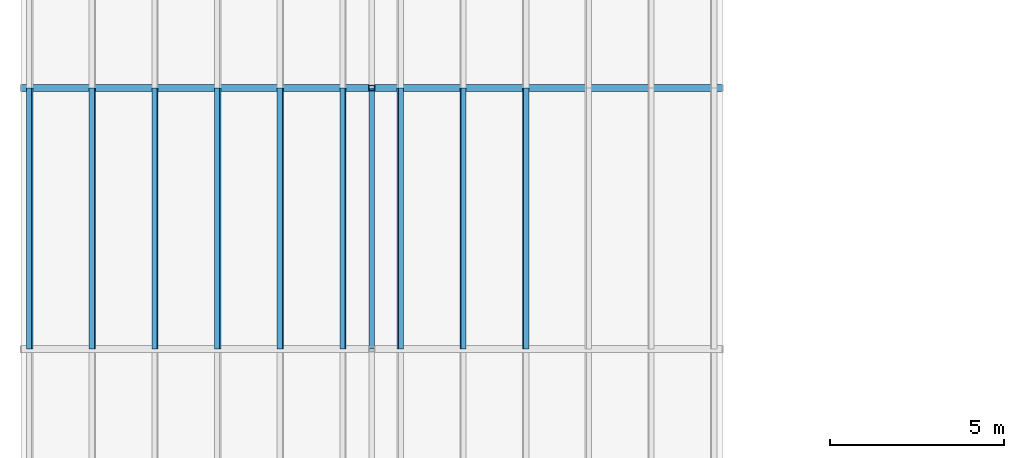
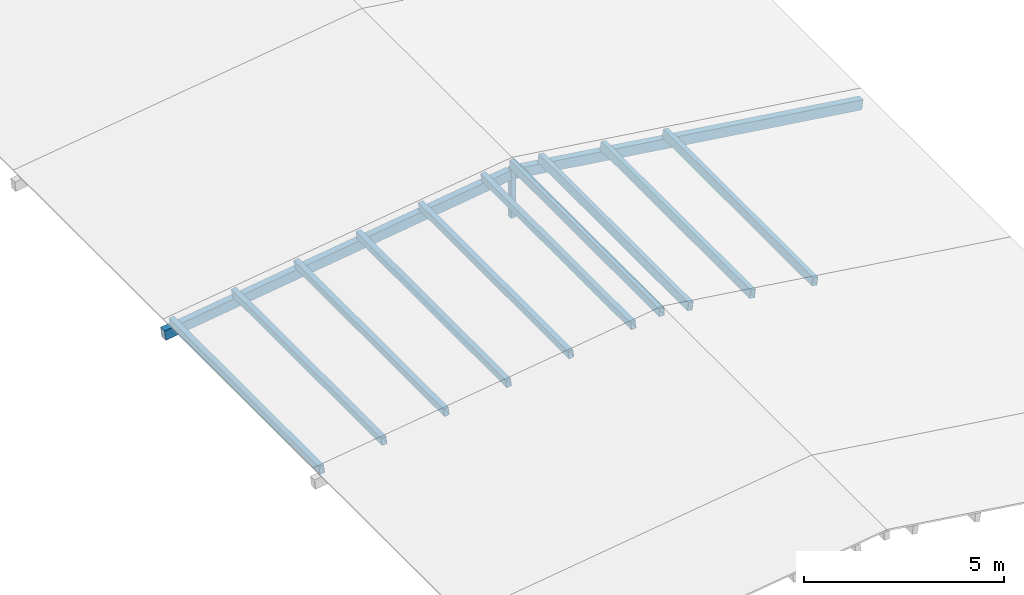
# One storey, part 8 of 52: 13 members.
"""IFC4 building model written with IfcOpenShell, lengths in metres."""

import ifcopenshell
import ifcopenshell.guid

model = None  # the IFC model being written
_history = None  # IfcOwnerHistory: only IFC2X3 demands one
_inside = {}  # id of a spatial element -> (the spatial element, [elements in it])
_under = {}  # id of a project, library or spatial element -> (it, [spatial elements below it])
_declared = {}  # id of a project -> (the project, [libraries it declares])
_typed = {}  # id of a type object -> (the type object, [elements of that type])
_made_of = {}  # id of a material, layer set ... -> (it, [elements and type objects made of it])


def new_model(schema):
    """Start an empty IFC model of exactly this schema.

    Asked for "IFC4X3", IfcOpenShell would pick the latest addendum, in which some entities
    have other attributes; the version numbers below select the first issue.
    IFC2X3 requires an IfcOwnerHistory on every rooted entity: one is made here for all.
    """
    global model, _history
    if schema == "IFC4X3":
        model = ifcopenshell.file(schema_version=(4, 3, 0, 0))
    else:
        model = ifcopenshell.file(schema=schema)
    _inside.clear()
    _under.clear()
    _declared.clear()
    _typed.clear()
    _made_of.clear()
    _history = None
    if model.schema == "IFC2X3":
        org = make("IfcOrganization", Name="unknown")
        user = make(
            "IfcPersonAndOrganization",
            ThePerson=make("IfcPerson", FamilyName="unknown"),
            TheOrganization=org,
        )
        app = make(
            "IfcApplication",
            ApplicationDeveloper=org,
            Version="unknown",
            ApplicationFullName="unknown",
            ApplicationIdentifier="unknown",
        )
        _history = make(
            "IfcOwnerHistory",
            OwningUser=user,
            OwningApplication=app,
            ChangeAction="ADDED",
            CreationDate=0,
        )
    return model


def make(cls, **values):
    """One entity of the class cls with the attributes given. An attribute that is None is left unset."""
    return model.create_entity(
        cls, **{name: value for name, value in values.items() if value is not None}
    )


def rooted(cls, **values):
    """An entity with a GlobalId (a new one), such as an element, a storey or a relation."""
    return make(cls, GlobalId=ifcopenshell.guid.new(), OwnerHistory=_history, **values)


def si_unit(unit_type, name, prefix=None):
    """IfcSIUnit, for example si_unit("LENGTHUNIT", "METRE", prefix="MILLI")."""
    return make("IfcSIUnit", UnitType=unit_type, Prefix=prefix, Name=name)


def assignment(units):
    """IfcUnitAssignment: the units of a project."""
    return None if units is None else make("IfcUnitAssignment", Units=units)


def point(xyz):
    """IfcCartesianPoint."""
    return None if xyz is None else make("IfcCartesianPoint", Coordinates=xyz)


def direction(xyz):
    """IfcDirection."""
    return None if xyz is None else make("IfcDirection", DirectionRatios=xyz)


def frame(location, z_axis=None, x_axis=None):
    """IfcAxis2Placement3D, a coordinate frame: its origin and axes. An axis left out is left unset."""
    return make(
        "IfcAxis2Placement3D",
        Location=point(location),
        Axis=direction(z_axis),
        RefDirection=direction(x_axis),
    )


def frame_2d(location, x_axis=None):
    """IfcAxis2Placement2D, a coordinate frame in the plane: its origin and x axis."""
    return make(
        "IfcAxis2Placement2D", Location=point(location), RefDirection=direction(x_axis)
    )


def origin():
    """The frame at (0, 0, 0) with its axes left unset."""
    return frame((0.0, 0.0, 0.0))


def origin_2d():
    """The frame at (0, 0) in the plane with its x axis left unset."""
    return frame_2d((0.0, 0.0))


def place(relative_to, where):
    """IfcLocalPlacement: puts the frame where relative to a parent placement (None: the world)."""
    return make(
        "IfcLocalPlacement", PlacementRelTo=relative_to, RelativePlacement=where
    )


def context(
    kind, dimensions, precision=None, world=None, true_north=None, identifier=None
):
    """IfcGeometricRepresentationContext, for example the 3D "Model" context."""
    return make(
        "IfcGeometricRepresentationContext",
        ContextIdentifier=identifier,
        ContextType=kind,
        CoordinateSpaceDimension=dimensions,
        Precision=precision,
        WorldCoordinateSystem=world,
        TrueNorth=true_north,
    )


def subcontext(parent, identifier, kind, view, scale=None):
    """IfcGeometricRepresentationSubContext, for example "Body" below "Model"."""
    return make(
        "IfcGeometricRepresentationSubContext",
        ContextIdentifier=identifier,
        ContextType=kind,
        ParentContext=parent,
        TargetScale=scale,
        TargetView=view,
    )


def project(units=None, contexts=None):
    """IfcProject with its units and contexts."""
    return rooted(
        "IfcProject",
        Name="project",
        RepresentationContexts=contexts,
        UnitsInContext=assignment(units),
    )


def spatial(cls, under=None, at=None, **own):
    """A site, building, storey or space (cls), placed at a placement, below another one or the project."""
    s = rooted(cls, ObjectPlacement=at, **own)
    if under is not None:
        _under.setdefault(under.id(), (under, []))[1].append(s)
    return s


def profile(cls, at=None, kind="AREA", **sizes):
    """A parametric profile (cls). Its sizes go by their IFC names, for example OverallWidth=200.0."""
    return make(cls, ProfileType=kind, Position=at, **sizes)


def hollow_rectangle(**sizes):
    """IfcRectangleHollowProfileDef."""
    return profile("IfcRectangleHollowProfileDef", **sizes)


def extrude(swept, where, along, depth):
    """IfcExtrudedAreaSolid: the profile swept, set in the frame where, extruded along a direction by depth."""
    return make(
        "IfcExtrudedAreaSolid",
        SweptArea=swept,
        Position=where,
        ExtrudedDirection=direction(along),
        Depth=depth,
    )


def shape(context_of_items, identifier, shape_type, items):
    """IfcShapeRepresentation: the items that make up one representation, for example the "Body"."""
    return make(
        "IfcShapeRepresentation",
        ContextOfItems=context_of_items,
        RepresentationIdentifier=identifier,
        RepresentationType=shape_type,
        Items=items,
    )


def material(Name=None, Category=None):
    """IfcMaterial."""
    return make("IfcMaterial", Name=Name, Category=Category)


def material_profile(
    of_material, cross_section, Name=None, Category=None, Priority=None
):
    """IfcMaterialProfile: a cross section and its material."""
    return make(
        "IfcMaterialProfile",
        Name=Name,
        Material=of_material,
        Profile=cross_section,
        Priority=Priority,
        Category=Category,
    )


def profile_set(profiles, Name=None, composite=None):
    """IfcMaterialProfileSet."""
    return make(
        "IfcMaterialProfileSet",
        Name=Name,
        MaterialProfiles=profiles,
        CompositeProfile=composite,
    )


def made_of(thing, what):
    """Note that an element or type object is made of a material, layer set ...; save() writes the relation."""
    if what is not None:
        _made_of.setdefault(what.id(), (what, []))[1].append(thing)
    return thing


def type_object(cls, material=None, **own):
    """A type object (cls), such as IfcWallType, which elements share."""
    return made_of(rooted(cls, **own), material)


def element(
    cls,
    number,
    at=None,
    inside=None,
    cuts=None,
    type_object=None,
    material=None,
    context=None,
    identifier="Body",
    shape_type=None,
    held_by="IfcProductDefinitionShape",
    body=None,
    shapes=None,
    **own,
):
    """One element of the class cls, such as IfcWall. Its Tag is "e" and its number.

    at: its placement. inside: the storey or other place that contains it. cuts: it is an
    opening in that element (IfcRelVoidsElement). A single representation is given by context,
    identifier, shape_type and body (its items); several are given by shapes. held_by: the class
    of the entity that holds the representations. save() writes the other relations.
    """
    e = rooted(cls, Tag="e%d" % number, ObjectPlacement=at, **own)
    if body is not None:
        shapes = [shape(context, identifier, shape_type, body)]
    if shapes is not None:
        e.Representation = make(held_by, Representations=shapes)
    if inside is not None:
        _inside.setdefault(inside.id(), (inside, []))[1].append(e)
    if cuts is not None:
        rooted(
            "IfcRelVoidsElement", RelatingBuildingElement=cuts, RelatedOpeningElement=e
        )
    if type_object is not None:
        _typed.setdefault(type_object.id(), (type_object, []))[1].append(e)
    return made_of(e, material)


def aggregate(whole, parts):
    """IfcRelAggregates: a whole, such as a stair, and the parts it consists of."""
    return rooted("IfcRelAggregates", RelatingObject=whole, RelatedObjects=parts)


def save(model, path):
    """Write the relations noted so far, then the file.

    IfcRelAggregates (storeys below a building ...), IfcRelContainedInSpatialStructure (elements
    in a storey), IfcRelDefinesByType, IfcRelAssociatesMaterial and IfcRelDeclares: one each for
    every whole, place, type object, material and project.
    """
    for whole, parts in _under.values():
        aggregate(whole, parts)
    for where, things in _inside.values():
        rooted(
            "IfcRelContainedInSpatialStructure",
            RelatedElements=things,
            RelatingStructure=where,
        )
    for kind, things in _typed.values():
        rooted("IfcRelDefinesByType", RelatedObjects=things, RelatingType=kind)
    for what, things in _made_of.values():
        rooted("IfcRelAssociatesMaterial", RelatedObjects=things, RelatingMaterial=what)
    for by, libraries in _declared.values():
        rooted("IfcRelDeclares", RelatingContext=by, RelatedDefinitions=libraries)
    model.write(path)


model = new_model("IFC4")

# Units and contexts
model_context = context("Model", 3, precision=1e-05, world=origin(), true_north=direction((0.0, 1.0)))
body_context = subcontext(model_context, "Body", "Model", "MODEL_VIEW")
ifc_project = project(units=[si_unit("LENGTHUNIT", "METRE"), si_unit("AREAUNIT", "SQUARE_METRE"), si_unit("VOLUMEUNIT", "CUBIC_METRE"), si_unit("PLANEANGLEUNIT", "RADIAN"), si_unit("MASSUNIT", "GRAM", prefix="KILO")], contexts=[model_context])

# Site, building, storey
site_placement = place(None, origin())
site = spatial("IfcSite", under=ifc_project, at=site_placement, CompositionType="ELEMENT")
building_placement = place(site_placement, origin())
building = spatial("IfcBuilding", under=site, at=building_placement, Name="Cour d'Honneur Mobility Palace", CompositionType="ELEMENT")
storey_placement = place(building_placement, frame((0.0, 0.0, 23.0)))
storey = spatial("IfcBuildingStorey", under=building, at=storey_placement, Name="L06", CompositionType="ELEMENT", Elevation=23.0)

# Members
ifc_material_1 = material(Name="Steel S355", Category="steel")
ifc_material_profile_1 = material_profile(ifc_material_1, hollow_rectangle(XDim=0.14990234375, YDim=0.14990234375, WallThickness=0.008056640625, at=origin_2d()), Name="RHS 150x150x8")
ifc_profile_set_1 = profile_set([ifc_material_profile_1], Name="Steel S355")
member_type_1 = type_object("IfcMemberType", Name="Terrace king post RHS 150x150x8", PredefinedType="STRUT", material=ifc_profile_set_1)
member_placement = place(storey_placement, frame((8.699951171875, 84.89990234375, 0.300048828125), z_axis=(0.0, 0.0, 1.0), x_axis=(1.0, 0.0, 0.0)))
element("IfcMember", 1, at=member_placement, inside=storey, type_object=member_type_1, Name="Terrace king post TK-C3", PredefinedType="STRUT", context=body_context, shape_type="SweptSolid", body=[
    extrude(hollow_rectangle(XDim=0.14990234375, YDim=0.14990234375, WallThickness=0.008056640625, at=origin_2d()), origin(), (0.0, 0.0, 1.0), 1.5029296875),
])
ifc_material_2 = material(Name="Steel S355", Category="steel")
ifc_material_profile_2 = material_profile(ifc_material_2, hollow_rectangle(XDim=0.14990234375, YDim=0.25, WallThickness=0.010009765625, at=origin_2d()), Name="RHS 250x150x10")
ifc_profile_set_2 = profile_set([ifc_material_profile_2], Name="Steel S355")
member_type_2 = type_object("IfcMemberType", Name="Terrace purlin RHS 250x150x10", PredefinedType="PURLIN", material=ifc_profile_set_2)
for number, where, z_axis, x_axis, name in (
    (2, (-1.125, 77.39990234375, 0.55419921875), (0.0, 1.0, 0.0), (-0.990349673475, 0.0, -0.138591212736), "Terrace purlin TU-C1.2"),
    (3, (0.675048828125, 77.39990234375, 0.80615234375), (0.0, 1.0, 0.0), (-0.990349673475, 0.0, -0.138591212736), "Terrace purlin TU-C2.2"),
    (4, (2.47509765625, 77.39990234375, 1.05810546875), (0.0, 1.0, 0.0), (-0.990349673475, 0.0, -0.138591212736), "Terrace purlin TU-C3.2"),
    (5, (4.27490234375, 77.39990234375, 1.309814453125), (0.0, 1.0, 0.0), (-0.990349673475, 0.0, -0.138591212736), "Terrace purlin TU-C4.2"),
    (6, (6.074951171875, 77.39990234375, 1.561767578125), (0.0, 1.0, 0.0), (-0.990349673475, 0.0, -0.138591212736), "Terrace purlin TU-C5.2"),
    (7, (7.875, 77.39990234375, 1.813720703125), (0.0, 1.0, 0.0), (-0.990349673475, 0.0, -0.138591212736), "Terrace purlin TU-C6.2"),
    (8, (13.125, 77.39990234375, 1.309814453125), (0.0, 1.0, 0.0), (-0.990349673475, 0.0, 0.138591212736), "Terrace purlin TU-C10.2"),
    (9, (11.324951171875, 77.39990234375, 1.561767578125), (0.0, 1.0, 0.0), (-0.990349673475, 0.0, 0.138591212736), "Terrace purlin TU-C11.2"),
    (10, (9.52490234375, 77.39990234375, 1.813720703125), (0.0, 1.0, 0.0), (-0.990349673475, 0.0, 0.138591212736), "Terrace purlin TU-C12.2"),
    (11, (8.699951171875, 77.39990234375, 1.927978515625), (0.0, 1.0, 0.0), (-1.0, 0.0, 0.0), "Terrace purlin TU-C13.2"),
):
    element("IfcMember", number, at=place(storey_placement, frame(where, z_axis=z_axis, x_axis=x_axis)), inside=storey, type_object=member_type_2, Name=name, PredefinedType="PURLIN", context=body_context, shape_type="SweptSolid", body=[
        extrude(hollow_rectangle(XDim=0.14990234375, YDim=0.25, WallThickness=0.010009765625, at=origin_2d()), origin(), (0.0, 0.0, 1.0), 7.5),
    ])
ifc_material_3 = material(Name="Steel S355", Category="steel")
ifc_material_profile_3 = material_profile(ifc_material_3, hollow_rectangle(XDim=0.199951171875, YDim=0.300048828125, WallThickness=0.012451171875, at=origin_2d()), Name="RHS 300x200x12.5")
ifc_profile_set_3 = profile_set([ifc_material_profile_3], Name="Steel S355")
member_type_3 = type_object("IfcMemberType", Name="Terrace rafter RHS 300x200x12.5", PredefinedType="RAFTER", material=ifc_profile_set_3)
for number, where, z_axis, x_axis, name in (
    (12, (-1.375, 84.89990234375, 0.241455078125), (0.990349712833, 0.0, 0.138590931493), (0.0, 1.0, 0.0), "Terrace rafter TF-C3W"),
    (13, (8.77490234375, 84.89990234375, 1.640869140625), (0.990349712833, 0.0, -0.138590931493), (0.0, 1.0, 0.0), "Terrace rafter TF-C3E"),
):
    element("IfcMember", number, at=place(storey_placement, frame(where, z_axis=z_axis, x_axis=x_axis)), inside=storey, type_object=member_type_3, Name=name, PredefinedType="RAFTER", context=body_context, shape_type="SweptSolid", body=[
        extrude(hollow_rectangle(XDim=0.199951171875, YDim=0.300048828125, WallThickness=0.012451171875, at=origin_2d()), origin(), (0.0, 0.0, 1.0), 10.097412109375),
    ])

save(model, "model.ifc")
